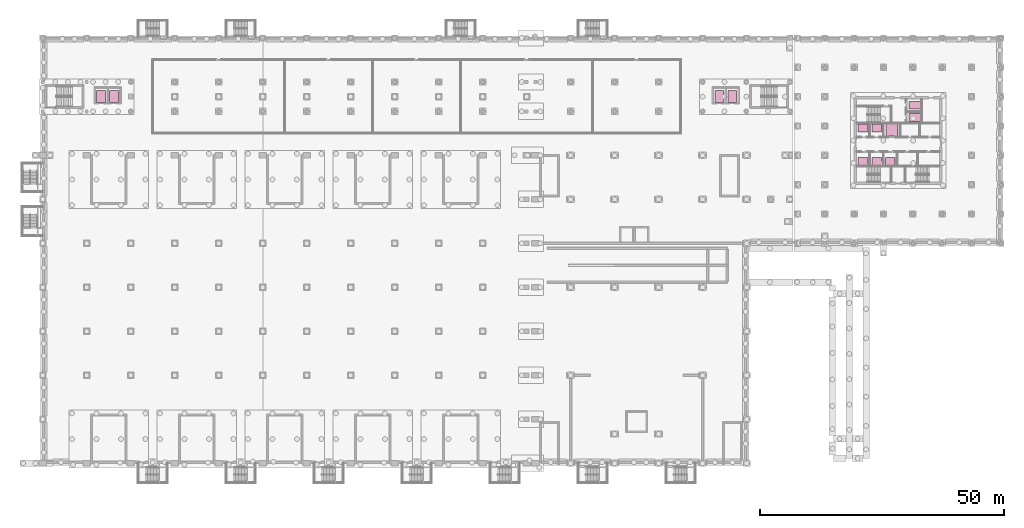
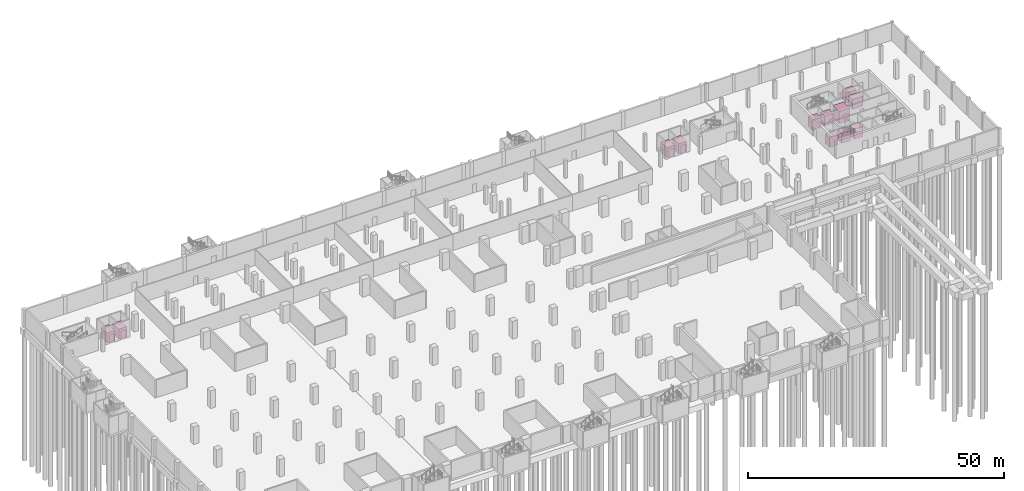
# One storey, part 29 of 29: 12 transport elements.
"""IFC4 building model written with IfcOpenShell, lengths in metres."""

from ifc_helpers import new_model, si_unit, direction, frame, origin, origin_2d, place, context, subcontext, project, spatial, rectangle, extrude, material, type_object, element, save


model = new_model("IFC4")

# Units and contexts
model_context = context("Model", 3, precision=1e-05, world=origin(), true_north=direction((0.0, 1.0)))
body_context = subcontext(model_context, "Body", "Model", "MODEL_VIEW")
ifc_project = project(units=[si_unit("LENGTHUNIT", "METRE"), si_unit("AREAUNIT", "SQUARE_METRE"), si_unit("VOLUMEUNIT", "CUBIC_METRE"), si_unit("PLANEANGLEUNIT", "RADIAN"), si_unit("MASSUNIT", "GRAM", prefix="KILO")], contexts=[model_context])

# Site, building, storey
site_placement = place(None, origin())
site = spatial("IfcSite", under=ifc_project, at=site_placement, CompositionType="ELEMENT")
building_placement = place(site_placement, origin())
building = spatial("IfcBuilding", under=site, at=building_placement, Name="Aravalli Gate Trade Fair Centre", CompositionType="ELEMENT")
storey_placement = place(building_placement, frame((0.0, 0.0, -8.39990234375)))
storey = spatial("IfcBuildingStorey", under=building, at=storey_placement, Name="B2", CompositionType="ELEMENT", Elevation=-8.39990234375)

# Transport elements
ifc_material = material(Name="Elevator car and guide equipment")
transport_element_type_1 = type_object("IfcTransportElementType", Name="Concourse passenger lift car 1800 kg", PredefinedType="ELEVATOR", material=ifc_material)
for number, where, z_axis, x_axis, name in (
    (1, (17.949951171875, 121.050048828125, 0.0), (0.0, 0.0, 1.0), (1.0, 0.0, 0.0), "Passenger lift WL1"),
    (2, (20.60009765625, 121.050048828125, 0.0), (0.0, 0.0, 1.0), (1.0, 0.0, 0.0), "Passenger lift WL2"),
    (3, (144.39990234375, 121.050048828125, 0.0), (0.0, 0.0, 1.0), (1.0, 0.0, 0.0), "Passenger lift EL1"),
    (4, (147.050048828125, 121.050048828125, 0.0), (0.0, 0.0, 1.0), (1.0, 0.0, 0.0), "Passenger lift EL2"),
):
    element("IfcTransportElement", number, at=place(storey_placement, frame(where, z_axis=z_axis, x_axis=x_axis)), inside=storey, type_object=transport_element_type_1, Name=name, PredefinedType="ELEVATOR", context=body_context, shape_type="SweptSolid", body=[
        extrude(rectangle(XDim=1.800048828125, YDim=2.39990234375, at=origin_2d()), origin(), (0.0, 0.0, 1.0), 2.39990234375),
    ])
transport_element_type_2 = type_object("IfcTransportElementType", Name="Wing firefighting lift car 1600 x 2400", PredefinedType="ELEVATOR", material=ifc_material)
for number, where, z_axis, x_axis, name in (
    (5, (184.39990234375, 116.75, 0.0), (0.0, 0.0, 1.0), (1.0, 0.0, 0.0), "Firefighting lift TF1"),
    (6, (184.39990234375, 119.25, 0.0), (0.0, 0.0, 1.0), (1.0, 0.0, 0.0), "Firefighting lift TF2"),
):
    element("IfcTransportElement", number, at=place(storey_placement, frame(where, z_axis=z_axis, x_axis=x_axis)), inside=storey, type_object=transport_element_type_2, Name=name, PredefinedType="ELEVATOR", context=body_context, shape_type="SweptSolid", body=[
        extrude(rectangle(XDim=2.39990234375, YDim=1.60009765625, at=origin_2d()), origin(), (0.0, 0.0, 1.0), 2.39990234375),
    ])
transport_element_type_3 = type_object("IfcTransportElementType", Name="Wing freight lift car 2400 x 2400", PredefinedType="ELEVATOR", material=ifc_material)
transport_element_placement = place(storey_placement, frame((179.699951171875, 114.199951171875, 0.0), z_axis=(0.0, 0.0, 1.0), x_axis=(1.0, 0.0, 0.0)))
element("IfcTransportElement", 7, at=transport_element_placement, inside=storey, type_object=transport_element_type_3, Name="Goods lift TFL1", PredefinedType="ELEVATOR", context=body_context, shape_type="SweptSolid", body=[
    extrude(rectangle(XDim=2.39990234375, YDim=2.39990234375, at=origin_2d()), origin(), (0.0, 0.0, 1.0), 3.0),
])
transport_element_type_4 = type_object("IfcTransportElementType", Name="Wing passenger lift car 2000 x 1600", PredefinedType="ELEVATOR", material=ifc_material)
for number, where, z_axis, x_axis, name in (
    (8, (173.800048828125, 107.800048828125, 0.0), (0.0, 0.0, 1.0), (1.0, 0.0, 0.0), "Passenger lift TP1"),
    (9, (176.60009765625, 107.800048828125, 0.0), (0.0, 0.0, 1.0), (1.0, 0.0, 0.0), "Passenger lift TP2"),
    (10, (179.39990234375, 107.800048828125, 0.0), (0.0, 0.0, 1.0), (1.0, 0.0, 0.0), "Passenger lift TP3"),
    (11, (173.800048828125, 114.60009765625, 0.0), (0.0, 0.0, 1.0), (1.0, 0.0, 0.0), "Passenger lift TP4"),
    (12, (176.60009765625, 114.60009765625, 0.0), (0.0, 0.0, 1.0), (1.0, 0.0, 0.0), "Passenger lift TP5"),
):
    element("IfcTransportElement", number, at=place(storey_placement, frame(where, z_axis=z_axis, x_axis=x_axis)), inside=storey, type_object=transport_element_type_4, Name=name, PredefinedType="ELEVATOR", context=body_context, shape_type="SweptSolid", body=[
        extrude(rectangle(XDim=2.0, YDim=1.60009765625, at=origin_2d()), origin(), (0.0, 0.0, 1.0), 2.39990234375),
    ])

save(model, "model.ifc")
